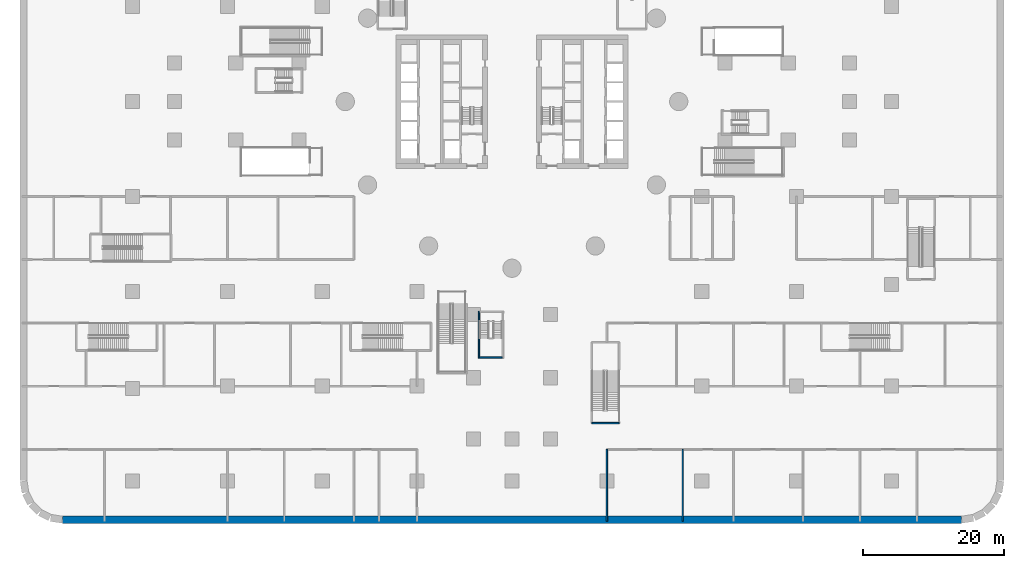
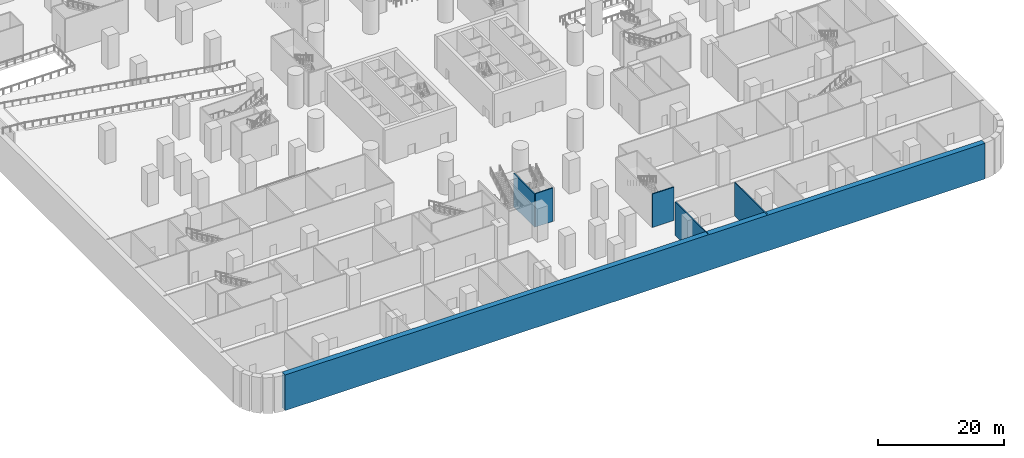
# One storey, part 6 of 37: 6 walls.
"""IFC4 building model written with IfcOpenShell, lengths in metres."""

from ifc_helpers import new_model, si_unit, direction, frame, frame_2d, origin, place, context, subcontext, project, spatial, polyline, rectangle, outline, extrude, material, layer, layer_set, type_object, element, save


model = new_model("IFC4")

# Units and contexts
model_context = context("Model", 3, precision=1e-05, world=origin(), true_north=direction((0.0, 1.0)))
body_context = subcontext(model_context, "Body", "Model", "MODEL_VIEW")
ifc_project = project(units=[si_unit("LENGTHUNIT", "METRE"), si_unit("AREAUNIT", "SQUARE_METRE"), si_unit("VOLUMEUNIT", "CUBIC_METRE"), si_unit("PLANEANGLEUNIT", "RADIAN"), si_unit("MASSUNIT", "GRAM", prefix="KILO")], contexts=[model_context])

# Site, building, storey
site_placement = place(None, origin())
site = spatial("IfcSite", under=ifc_project, at=site_placement, CompositionType="ELEMENT")
building_placement = place(site_placement, origin())
building = spatial("IfcBuilding", under=site, at=building_placement, Name="Tamarind Cross Interchange Tower", CompositionType="ELEMENT")
storey_placement = place(building_placement, frame((0.0, 0.0, -7.0)))
storey = spatial("IfcBuildingStorey", under=building, at=storey_placement, Name="B1", CompositionType="ELEMENT", Elevation=-7.0)

# Walls
ifc_material_1 = material(Name="Concrete C40", Category="concrete")
ifc_layer_1 = layer(ifc_material_1, 1.0)
ifc_layer_set_1 = layer_set([ifc_layer_1], Name="Concrete C40")
wall_type_1 = type_object("IfcWallType", Name="Basement wall 1000 Concrete C40", PredefinedType="SOLIDWALL", material=ifc_layer_set_1)
wall_1_placement = place(storey_placement, frame((63.931396484375, -59.5, -0.449951171875), z_axis=(0.0, 0.0, 1.0), x_axis=(-1.0, 0.0, 0.0)))
element("IfcWall", 1, at=wall_1_placement, inside=storey, type_object=wall_type_1, Name="Basement wall B1-1", PredefinedType="SOLIDWALL", context=body_context, shape_type="SweptSolid", body=[
    extrude(rectangle(XDim=127.86279296875, YDim=1.0, at=frame_2d((63.931396484375, 0.0))), origin(), (0.0, 0.0, 1.0), 6.89990234375),
])
ifc_material_2 = material(Name="Masonry partition, fire-rated", Category="masonry")
ifc_layer_2 = layer(ifc_material_2, 0.199951171875)
ifc_layer_set_2 = layer_set([ifc_layer_2], Name="Masonry partition, fire-rated")
wall_type_2 = type_object("IfcWallType", Name="Fire partition 200 EI 120", PredefinedType="PARTITIONING", material=ifc_layer_set_2)
for number, where, z_axis, x_axis, name in (
    (2, (13.5, -59.698974609375, 0.0), (0.0, 0.0, 1.0), (0.0, 1.0, 0.0), "B1 partition 86"),
    (3, (24.300048828125, -59.698974609375, 0.0), (0.0, 0.0, 1.0), (0.0, 1.0, 0.0), "B1 partition 92"),
):
    element("IfcWall", number, at=place(storey_placement, frame(where, z_axis=z_axis, x_axis=x_axis)), inside=storey, type_object=wall_type_2, Name=name, PredefinedType="PARTITIONING", context=body_context, shape_type="SweptSolid", body=[
        extrude(rectangle(XDim=10.198974609375, YDim=0.199951171875, at=frame_2d((5.099609375, 0.0))), origin(), (0.0, 0.0, 1.0), 6.449951171875),
    ])
ifc_layer_3 = layer(ifc_material_1, 0.199951171875)
ifc_layer_set_3 = layer_set([ifc_layer_3], Name="Concrete C40")
wall_type_3 = type_object("IfcWallType", Name="Stair shaft wall 200 EI 180", PredefinedType="PARTITIONING", material=ifc_layer_set_3)
wall_2_placement = place(storey_placement, frame((11.35009765625, -45.75, 0.0), z_axis=(0.0, 0.0, 1.0), x_axis=(1.0, 0.0, 0.0)))
element("IfcWall", 4, at=wall_2_placement, inside=storey, type_object=wall_type_3, Name="B1 stair shaft wall 36", PredefinedType="PARTITIONING", context=body_context, shape_type="SweptSolid", body=[
    extrude(rectangle(XDim=3.89990234375, YDim=0.199951171875, at=frame_2d((1.949951171875, 0.0))), origin(), (0.0, 0.0, 1.0), 6.449951171875),
])
ifc_layer_4 = layer(ifc_material_1, 0.199951171875)
ifc_layer_set_4 = layer_set([ifc_layer_4], Name="Concrete C40")
wall_type_4 = type_object("IfcWallType", Name="Stair shaft wall 200 mm Concrete C40", PredefinedType="SHEAR", material=ifc_layer_set_4)
wall_3_placement = place(storey_placement, frame((-4.699951171875, -29.800048828125, 0.0), z_axis=(0.0, 0.0, 1.0), x_axis=(0.0, -1.0, 0.0)))
element("IfcWall", 5, at=wall_3_placement, inside=storey, type_object=wall_type_4, Name="Core wall CWL-B1-ST6-C", PredefinedType="SHEAR", context=body_context, shape_type="SweptSolid", body=[
    extrude(rectangle(XDim=6.699951171875, YDim=0.199951171875, at=frame_2d((3.35009765625, 0.0))), origin(), (0.0, 0.0, 1.0), 6.449951171875),
])
wall_4_placement = place(storey_placement, origin())
element("IfcWall", 6, at=wall_4_placement, inside=storey, type_object=wall_type_4, Name="Core wall CWL-B1-ST6-CF", PredefinedType="SHEAR", context=body_context, shape_type="SweptSolid", body=[
    extrude(outline(polyline([(-4.60009765625, -36.300048828125), (-4.60009765625, -36.5), (-1.39990234375, -36.5), (-1.39990234375, -36.300048828125), (-4.60009765625, -36.300048828125)])), origin(), (0.0, 0.0, 1.0), 6.449951171875),
])

save(model, "model.ifc")
